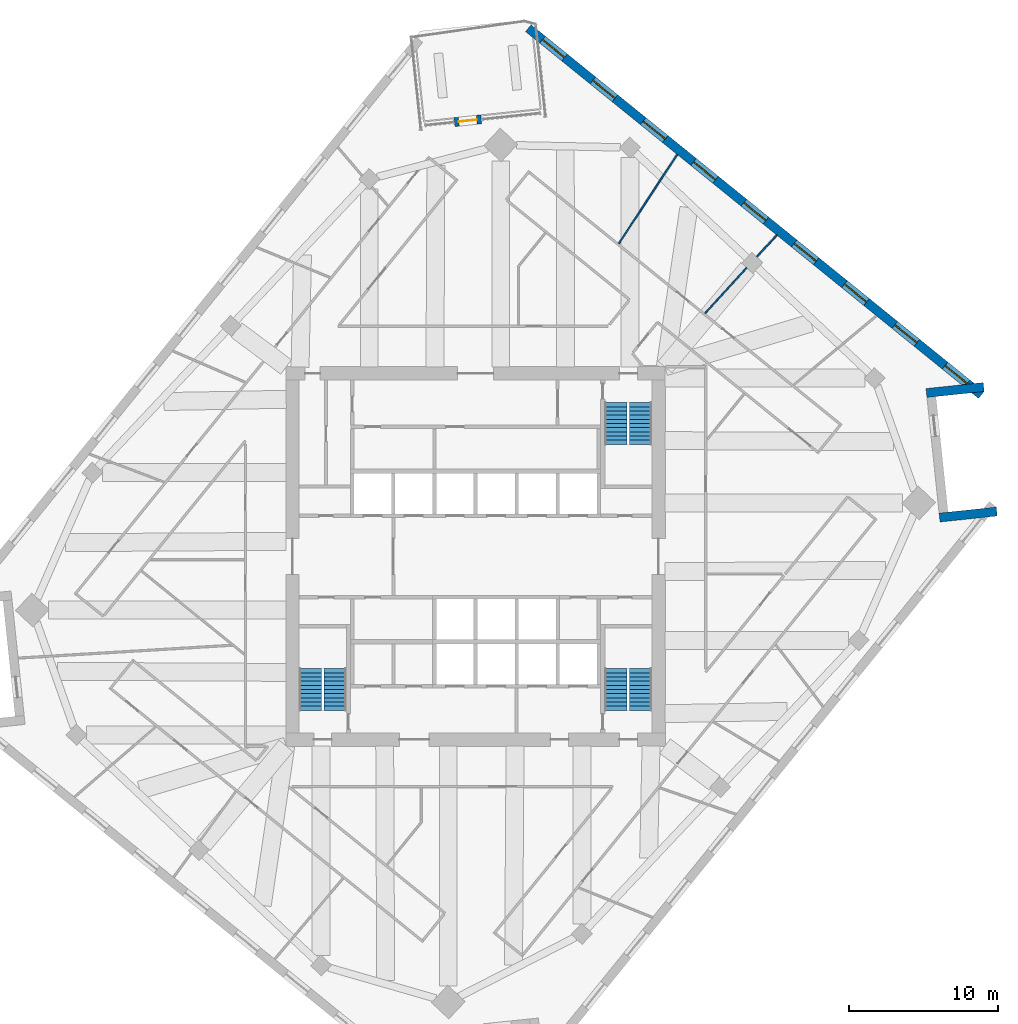
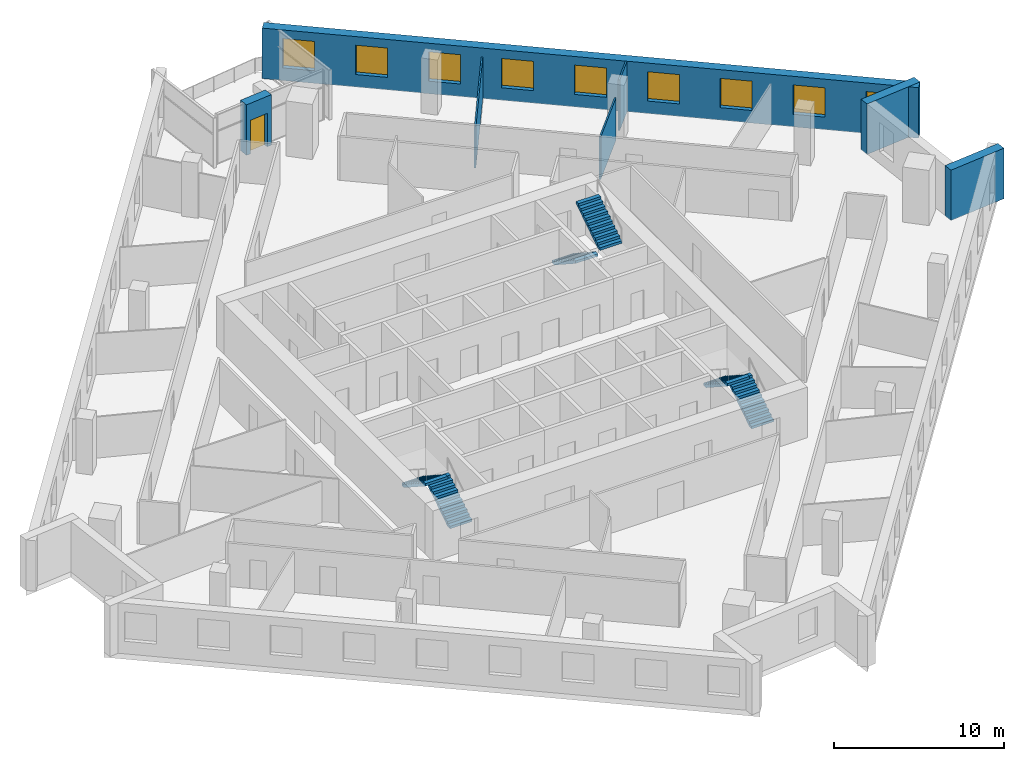
# One storey, part 12 of 14: 9 windows, 7 walls, 6 stair flights, 1 door, 10 openings, 3 elements without a shape of their own.
"""IFC4 building model written with IfcOpenShell, lengths in metres."""

from ifc_helpers import new_model, si_unit, direction, frame, frame_2d, origin, place, context, subcontext, project, spatial, polyline, rectangle, outline, extrude, material, layer, layer_set, type_object, element, fill, aggregate, save


model = new_model("IFC4")

# Units and contexts
model_context = context("Model", 3, precision=1e-05, world=origin(), true_north=direction((0.0, 1.0)))
body_context = subcontext(model_context, "Body", "Model", "MODEL_VIEW")
ifc_project = project(units=[si_unit("LENGTHUNIT", "METRE"), si_unit("AREAUNIT", "SQUARE_METRE"), si_unit("VOLUMEUNIT", "CUBIC_METRE"), si_unit("PLANEANGLEUNIT", "RADIAN"), si_unit("MASSUNIT", "GRAM", prefix="KILO")], contexts=[model_context])

# Site, building, storey
site_placement = place(None, origin())
site = spatial("IfcSite", under=ifc_project, at=site_placement, CompositionType="ELEMENT")
building_placement = place(site_placement, origin())
building = spatial("IfcBuilding", under=site, at=building_placement, Name="Dilmun Exchange Tower", CompositionType="ELEMENT")
storey_placement = place(building_placement, frame((0.0, 0.0, 233.300048828125)))
storey = spatial("IfcBuildingStorey", under=building, at=storey_placement, Name="L55", CompositionType="ELEMENT", Elevation=233.300048828125)

# Walls
ifc_material_1 = material(Name="Partition 100")
ifc_layer_1 = layer(ifc_material_1, 0.10009765625)
ifc_layer_set_1 = layer_set([ifc_layer_1], Name="Partition 100")
wall_type_1 = type_object("IfcWallType", Name="Partition 100", PredefinedType="PARTITIONING", material=ifc_layer_set_1)
wall_1_placement = place(storey_placement, frame((9.593994140625, 20.94921875, 0.0), z_axis=(0.0, 0.0, 1.0), x_axis=(0.548286159223, 0.836290791295, 0.0)))
element("IfcWall", 1, at=wall_1_placement, inside=storey, type_object=wall_type_1, Name="Partition", PredefinedType="PARTITIONING", context=body_context, shape_type="SweptSolid", body=[
    extrude(rectangle(XDim=7.115478515625, YDim=0.10009765625, at=frame_2d((3.5576171875, 0.0))), origin(), (0.0, 0.0, 1.0), 2.969970703125),
])
wall_2_placement = place(storey_placement, frame((15.36279296875, 16.275634765625, 0.0), z_axis=(0.0, 0.0, 1.0), x_axis=(0.675708525494, 0.737168900982, 0.0)))
element("IfcWall", 2, at=wall_2_placement, inside=storey, type_object=wall_type_1, Name="Partition", PredefinedType="PARTITIONING", context=body_context, shape_type="SweptSolid", body=[
    extrude(rectangle(XDim=4.119384765625, YDim=0.10009765625, at=frame_2d((2.0595703125, 0.0))), origin(), (0.0, 0.0, 1.0), 3.050048828125),
])
wall_3_placement = place(storey_placement, frame((18.822021484375, 20.049560546875, 0.0), z_axis=(0.0, 0.0, 1.0), x_axis=(0.675724628517, 0.737154140201, 0.0)))
element("IfcWall", 3, at=wall_3_placement, inside=storey, type_object=wall_type_1, Name="Partition", PredefinedType="PARTITIONING", context=body_context, shape_type="SweptSolid", body=[
    extrude(rectangle(XDim=1.975341796875, YDim=0.10009765625, at=frame_2d((0.98779296875, 0.0))), origin(), (0.0, 0.0, 1.0), 3.619873046875),
])
ifc_material_2 = material(Name="Precast concrete C50/60", Category="concrete")
ifc_layer_2 = layer(ifc_material_2, 0.60009765625)
ifc_layer_set_2 = layer_set([ifc_layer_2], Name="Precast concrete C50/60")
wall_type_2 = type_object("IfcWallType", Name="Precast stone-clad wall 600", PredefinedType="STANDARD", material=ifc_layer_set_2)
for number, where, z_axis, x_axis, name in (
    (4, (34.87841796875, 3.0087890625, 0.0), (0.0, 0.0, 1.0), (-0.994521092097, -0.104536105602, 0.0), "Facade wall L55-12"),
    (5, (30.17724609375, 10.93896484375, 0.0), (0.0, 0.0, 1.0), (0.994521092097, 0.104536105602, 0.0), "Facade wall L55-14"),
):
    element("IfcWall", number, at=place(storey_placement, frame(where, z_axis=z_axis, x_axis=x_axis)), inside=storey, type_object=wall_type_2, Name=name, PredefinedType="STANDARD", context=body_context, shape_type="SweptSolid", body=[
        extrude(rectangle(XDim=3.846435546875, YDim=0.60009765625, at=frame_2d((1.92333984375, 0.0))), origin(), (0.0, 0.0, 1.0), 3.619873046875),
    ])

# Wall, openings, windows
wall_4_placement = place(storey_placement, frame((33.84521484375, 10.8095703125, 0.0), z_axis=(0.0, 0.0, 1.0), x_axis=(-0.777145437972, 0.629321037499, 0.0)))
wall_4 = element("IfcWall", 6, at=wall_4_placement, inside=storey, type_object=wall_type_2, Name="Facade wall L55-15", PredefinedType="STANDARD", context=body_context, shape_type="SweptSolid", body=[
    extrude(rectangle(XDim=39.0, YDim=0.60009765625, at=frame_2d((19.5, 0.0))), origin(), (0.0, 0.0, 1.0), 3.619873046875),
])
opening_1_placement = place(wall_4_placement, frame((1.216796875, 0.0, 0.89990234375)))
opening_1 = element("IfcOpeningElement", 7, at=opening_1_placement, cuts=wall_4, Name="Opening W190-210", PredefinedType="OPENING", context=body_context, shape_type="SweptSolid", body=[
    extrude(rectangle(XDim=1.89990234375, YDim=2.10009765625, at=frame_2d((0.949951171875, 1.050048828125))), frame((0.0, 0.31005859375, 0.0), z_axis=(0.0, -1.0, 0.0), x_axis=(1.0, 0.0, 0.0)), (0.0, 0.0, 1.0), 0.6201171875),
])
opening_2_placement = place(wall_4_placement, frame((5.550048828125, 0.0, 0.89990234375)))
opening_2 = element("IfcOpeningElement", 8, at=opening_2_placement, cuts=wall_4, Name="Opening W190-210", PredefinedType="OPENING", context=body_context, shape_type="SweptSolid", body=[
    extrude(rectangle(XDim=1.89990234375, YDim=2.10009765625, at=frame_2d((0.949951171875, 1.050048828125))), frame((0.0, 0.31005859375, 0.0), z_axis=(0.0, -1.0, 0.0), x_axis=(1.0, 0.0, 0.0)), (0.0, 0.0, 1.0), 0.6201171875),
])
opening_3_placement = place(wall_4_placement, frame((9.88330078125, 0.0, 0.89990234375)))
opening_3 = element("IfcOpeningElement", 9, at=opening_3_placement, cuts=wall_4, Name="Opening W190-210", PredefinedType="OPENING", context=body_context, shape_type="SweptSolid", body=[
    extrude(rectangle(XDim=1.89990234375, YDim=2.10009765625, at=frame_2d((0.949951171875, 1.050048828125))), frame((0.0, 0.31005859375, 0.0), z_axis=(0.0, -1.0, 0.0), x_axis=(1.0, 0.0, 0.0)), (0.0, 0.0, 1.0), 0.6201171875),
])
opening_4_placement = place(wall_4_placement, frame((14.216796875, 0.0, 0.89990234375)))
opening_4 = element("IfcOpeningElement", 10, at=opening_4_placement, cuts=wall_4, Name="Opening W190-210", PredefinedType="OPENING", context=body_context, shape_type="SweptSolid", body=[
    extrude(rectangle(XDim=1.89990234375, YDim=2.10009765625, at=frame_2d((0.949951171875, 1.050048828125))), frame((0.0, 0.31005859375, 0.0), z_axis=(0.0, -1.0, 0.0), x_axis=(1.0, 0.0, 0.0)), (0.0, 0.0, 1.0), 0.6201171875),
])
opening_5_placement = place(wall_4_placement, frame((18.550048828125, 0.0, 0.89990234375)))
opening_5 = element("IfcOpeningElement", 11, at=opening_5_placement, cuts=wall_4, Name="Opening W190-210", PredefinedType="OPENING", context=body_context, shape_type="SweptSolid", body=[
    extrude(rectangle(XDim=1.89990234375, YDim=2.10009765625, at=frame_2d((0.949951171875, 1.050048828125))), frame((0.0, 0.31005859375, 0.0), z_axis=(0.0, -1.0, 0.0), x_axis=(1.0, 0.0, 0.0)), (0.0, 0.0, 1.0), 0.6201171875),
])
opening_6_placement = place(wall_4_placement, frame((22.88330078125, 0.0, 0.89990234375)))
opening_6 = element("IfcOpeningElement", 12, at=opening_6_placement, cuts=wall_4, Name="Opening W190-210", PredefinedType="OPENING", context=body_context, shape_type="SweptSolid", body=[
    extrude(rectangle(XDim=1.89990234375, YDim=2.10009765625, at=frame_2d((0.949951171875, 1.050048828125))), frame((0.0, 0.31005859375, 0.0), z_axis=(0.0, -1.0, 0.0), x_axis=(1.0, 0.0, 0.0)), (0.0, 0.0, 1.0), 0.6201171875),
])
opening_7_placement = place(wall_4_placement, frame((27.216796875, 0.0, 0.89990234375)))
opening_7 = element("IfcOpeningElement", 13, at=opening_7_placement, cuts=wall_4, Name="Opening W190-210", PredefinedType="OPENING", context=body_context, shape_type="SweptSolid", body=[
    extrude(rectangle(XDim=1.89990234375, YDim=2.10009765625, at=frame_2d((0.949951171875, 1.050048828125))), frame((0.0, 0.31005859375, 0.0), z_axis=(0.0, -1.0, 0.0), x_axis=(1.0, 0.0, 0.0)), (0.0, 0.0, 1.0), 0.6201171875),
])
opening_8_placement = place(wall_4_placement, frame((31.550048828125, 0.0, 0.89990234375)))
opening_8 = element("IfcOpeningElement", 14, at=opening_8_placement, cuts=wall_4, Name="Opening W190-210", PredefinedType="OPENING", context=body_context, shape_type="SweptSolid", body=[
    extrude(rectangle(XDim=1.89990234375, YDim=2.10009765625, at=frame_2d((0.949951171875, 1.050048828125))), frame((0.0, 0.31005859375, 0.0), z_axis=(0.0, -1.0, 0.0), x_axis=(1.0, 0.0, 0.0)), (0.0, 0.0, 1.0), 0.6201171875),
])
opening_9_placement = place(wall_4_placement, frame((35.88330078125, 0.0, 0.89990234375)))
opening_9 = element("IfcOpeningElement", 15, at=opening_9_placement, cuts=wall_4, Name="Opening W190-210", PredefinedType="OPENING", context=body_context, shape_type="SweptSolid", body=[
    extrude(rectangle(XDim=1.89990234375, YDim=2.10009765625, at=frame_2d((0.949951171875, 1.050048828125))), frame((0.0, 0.31005859375, 0.0), z_axis=(0.0, -1.0, 0.0), x_axis=(1.0, 0.0, 0.0)), (0.0, 0.0, 1.0), 0.6201171875),
])
ifc_material_3 = material(Name="Clear low-emissivity glass in aluminium frame", Category="aluminium")
window_type = type_object("IfcWindowType", Name="Punched window 1900 x 2100", PartitioningType="DOUBLE_PANEL_VERTICAL", PredefinedType="WINDOW", material=ifc_material_3)
window_1_placement = place(opening_1_placement, origin())
window_1 = element("IfcWindow", 16, at=window_1_placement, inside=storey, type_object=window_type, Name="Window 16.1", OverallHeight=2.10009765625, OverallWidth=1.89990234375, PartitioningType="SINGLE_PANEL", PredefinedType="WINDOW", context=body_context, shape_type="SweptSolid", body=[
    extrude(rectangle(XDim=1.89990234375, YDim=2.10009765625, at=frame_2d((0.949951171875, 1.050048828125))), frame((0.0, 0.030029296875, 0.0), z_axis=(0.0, -1.0, 0.0), x_axis=(1.0, 0.0, 0.0)), (0.0, 0.0, 1.0), 0.06005859375),
])
fill(opening_1, window_1)
window_2_placement = place(opening_2_placement, origin())
window_2 = element("IfcWindow", 17, at=window_2_placement, inside=storey, type_object=window_type, Name="Window 16.2", OverallHeight=2.10009765625, OverallWidth=1.89990234375, PartitioningType="SINGLE_PANEL", PredefinedType="WINDOW", context=body_context, shape_type="SweptSolid", body=[
    extrude(rectangle(XDim=1.89990234375, YDim=2.10009765625, at=frame_2d((0.949951171875, 1.050048828125))), frame((0.0, 0.030029296875, 0.0), z_axis=(0.0, -1.0, 0.0), x_axis=(1.0, 0.0, 0.0)), (0.0, 0.0, 1.0), 0.06005859375),
])
fill(opening_2, window_2)
window_3_placement = place(opening_3_placement, origin())
window_3 = element("IfcWindow", 18, at=window_3_placement, inside=storey, type_object=window_type, Name="Window 16.3", OverallHeight=2.10009765625, OverallWidth=1.89990234375, PartitioningType="SINGLE_PANEL", PredefinedType="WINDOW", context=body_context, shape_type="SweptSolid", body=[
    extrude(rectangle(XDim=1.89990234375, YDim=2.10009765625, at=frame_2d((0.949951171875, 1.050048828125))), frame((0.0, 0.030029296875, 0.0), z_axis=(0.0, -1.0, 0.0), x_axis=(1.0, 0.0, 0.0)), (0.0, 0.0, 1.0), 0.06005859375),
])
fill(opening_3, window_3)
window_4_placement = place(opening_4_placement, origin())
window_4 = element("IfcWindow", 19, at=window_4_placement, inside=storey, type_object=window_type, Name="Window 16.4", OverallHeight=2.10009765625, OverallWidth=1.89990234375, PartitioningType="SINGLE_PANEL", PredefinedType="WINDOW", context=body_context, shape_type="SweptSolid", body=[
    extrude(rectangle(XDim=1.89990234375, YDim=2.10009765625, at=frame_2d((0.949951171875, 1.050048828125))), frame((0.0, 0.030029296875, 0.0), z_axis=(0.0, -1.0, 0.0), x_axis=(1.0, 0.0, 0.0)), (0.0, 0.0, 1.0), 0.06005859375),
])
fill(opening_4, window_4)
window_5_placement = place(opening_5_placement, origin())
window_5 = element("IfcWindow", 20, at=window_5_placement, inside=storey, type_object=window_type, Name="Window 16.5", OverallHeight=2.10009765625, OverallWidth=1.89990234375, PartitioningType="SINGLE_PANEL", PredefinedType="WINDOW", context=body_context, shape_type="SweptSolid", body=[
    extrude(rectangle(XDim=1.89990234375, YDim=2.10009765625, at=frame_2d((0.949951171875, 1.050048828125))), frame((0.0, 0.030029296875, 0.0), z_axis=(0.0, -1.0, 0.0), x_axis=(1.0, 0.0, 0.0)), (0.0, 0.0, 1.0), 0.06005859375),
])
fill(opening_5, window_5)
window_6_placement = place(opening_6_placement, origin())
window_6 = element("IfcWindow", 21, at=window_6_placement, inside=storey, type_object=window_type, Name="Window 16.6", OverallHeight=2.10009765625, OverallWidth=1.89990234375, PartitioningType="SINGLE_PANEL", PredefinedType="WINDOW", context=body_context, shape_type="SweptSolid", body=[
    extrude(rectangle(XDim=1.89990234375, YDim=2.10009765625, at=frame_2d((0.949951171875, 1.050048828125))), frame((0.0, 0.030029296875, 0.0), z_axis=(0.0, -1.0, 0.0), x_axis=(1.0, 0.0, 0.0)), (0.0, 0.0, 1.0), 0.06005859375),
])
fill(opening_6, window_6)
window_7_placement = place(opening_7_placement, origin())
window_7 = element("IfcWindow", 22, at=window_7_placement, inside=storey, type_object=window_type, Name="Window 16.7", OverallHeight=2.10009765625, OverallWidth=1.89990234375, PartitioningType="SINGLE_PANEL", PredefinedType="WINDOW", context=body_context, shape_type="SweptSolid", body=[
    extrude(rectangle(XDim=1.89990234375, YDim=2.10009765625, at=frame_2d((0.949951171875, 1.050048828125))), frame((0.0, 0.030029296875, 0.0), z_axis=(0.0, -1.0, 0.0), x_axis=(1.0, 0.0, 0.0)), (0.0, 0.0, 1.0), 0.06005859375),
])
fill(opening_7, window_7)
window_8_placement = place(opening_8_placement, origin())
window_8 = element("IfcWindow", 23, at=window_8_placement, inside=storey, type_object=window_type, Name="Window 16.8", OverallHeight=2.10009765625, OverallWidth=1.89990234375, PartitioningType="SINGLE_PANEL", PredefinedType="WINDOW", context=body_context, shape_type="SweptSolid", body=[
    extrude(rectangle(XDim=1.89990234375, YDim=2.10009765625, at=frame_2d((0.949951171875, 1.050048828125))), frame((0.0, 0.030029296875, 0.0), z_axis=(0.0, -1.0, 0.0), x_axis=(1.0, 0.0, 0.0)), (0.0, 0.0, 1.0), 0.06005859375),
])
fill(opening_8, window_8)
window_9_placement = place(opening_9_placement, origin())
window_9 = element("IfcWindow", 24, at=window_9_placement, inside=storey, type_object=window_type, Name="Window 16.9", OverallHeight=2.10009765625, OverallWidth=1.89990234375, PartitioningType="SINGLE_PANEL", PredefinedType="WINDOW", context=body_context, shape_type="SweptSolid", body=[
    extrude(rectangle(XDim=1.89990234375, YDim=2.10009765625, at=frame_2d((0.949951171875, 1.050048828125))), frame((0.0, 0.030029296875, 0.0), z_axis=(0.0, -1.0, 0.0), x_axis=(1.0, 0.0, 0.0)), (0.0, 0.0, 1.0), 0.06005859375),
])
fill(opening_9, window_9)

# Wall, opening, door
wall_5_placement = place(storey_placement, frame((0.379638671875, 29.25537109375, 0.0), z_axis=(0.0, 0.0, 1.0), x_axis=(-0.994516595821, -0.104578872801, 0.0)))
wall_5 = element("IfcWall", 25, at=wall_5_placement, inside=storey, type_object=wall_type_2, Name="Facade wall L55-01-D", PredefinedType="STANDARD", context=body_context, shape_type="SweptSolid", body=[
    extrude(rectangle(XDim=1.7998046875, YDim=0.60009765625, at=frame_2d((0.89990234375, 0.0))), origin(), (0.0, 0.0, 1.0), 3.619873046875),
])
opening_10_placement = place(wall_5_placement, frame((0.300048828125, 0.0, 0.0)))
opening_10 = element("IfcOpeningElement", 26, at=opening_10_placement, cuts=wall_5, Name="Opening GD-1", PredefinedType="OPENING", context=body_context, shape_type="SweptSolid", body=[
    extrude(rectangle(XDim=1.199951171875, YDim=2.39990234375, at=frame_2d((0.60009765625, 1.199951171875))), frame((0.0, 0.31005859375, 0.0), z_axis=(0.0, -1.0, 0.0), x_axis=(1.0, 0.0, 0.0)), (0.0, 0.0, 1.0), 0.6201171875),
])
door_type = type_object("IfcDoorType", Name="Glazed garden door 1200 x 2400", OperationType="SINGLE_SWING_LEFT", PredefinedType="DOOR", material=ifc_material_3)
door_placement = place(opening_10_placement, origin())
door = element("IfcDoor", 27, at=door_placement, inside=storey, type_object=door_type, Name="Garden terrace door", OperationType="SINGLE_SWING_LEFT", OverallHeight=2.39990234375, OverallWidth=1.199951171875, PredefinedType="DOOR", context=body_context, shape_type="SweptSolid", body=[
    extrude(rectangle(XDim=1.199951171875, YDim=2.39990234375, at=frame_2d((0.60009765625, 1.199951171875))), frame((0.0, 0.02490234375, 0.0), z_axis=(0.0, -1.0, 0.0), x_axis=(1.0, 0.0, 0.0)), (0.0, 0.0, 1.0), 0.050048828125),
])
fill(opening_10, door)

# Stair, stair flights
ifc_material_4 = material(Name="Concrete C40/50", Category="concrete")
stair_type = type_object("IfcStairType", Name="Exit stair 1500 half-turn", PredefinedType="HALF_TURN_STAIR", material=ifc_material_4)
stair_1_placement = place(storey_placement, origin())
stair_1 = element("IfcStair", 28, at=stair_1_placement, inside=storey, type_object=stair_type, Name="L55 Protected exit stair ST1", PredefinedType="HALF_TURN_STAIR")
stair_flight_type = type_object("IfcStairFlightType", Name="Exit stair flight 1500", PredefinedType="STRAIGHT", material=ifc_material_4)
stair_flight_1_placement = place(storey_placement, frame((9.39990234375, 10.300048828125, 0.0), z_axis=(0.0, 0.0, 1.0), x_axis=(0.0, -1.0, 0.0)))
stair_flight_1 = element("IfcStairFlight", 29, at=stair_flight_1_placement, type_object=stair_flight_type, Name="ST1 flight 1", NumberOfRisers=11, NumberOfTreads=10, PredefinedType="STRAIGHT", RiserHeight=0.181818182, TreadLength=0.28, context=body_context, shape_type="SweptSolid", body=[
    extrude(outline(polyline([(0.0, 0.0), (0.0, 0.181884765625), (0.280029296875, 0.181884765625), (0.280029296875, 0.363525390625), (0.56005859375, 0.363525390625), (0.56005859375, 0.54541015625), (0.840087890625, 0.54541015625), (0.840087890625, 0.727294921875), (1.1201171875, 0.727294921875), (1.1201171875, 0.9091796875), (1.39990234375, 0.9091796875), (1.39990234375, 1.0908203125), (1.679931640625, 1.0908203125), (1.679931640625, 1.272705078125), (1.9599609375, 1.272705078125), (1.9599609375, 1.45458984375), (2.239990234375, 1.45458984375), (2.239990234375, 1.636474609375), (2.52001953125, 1.636474609375), (2.52001953125, 1.818115234375), (2.800048828125, 1.818115234375), (2.800048828125, 2.0), (2.800048828125, 1.639404296875), (0.275146484375, 0.0), (0.0, 0.0)])), frame((0.0, 0.75, 0.0), z_axis=(0.0, -1.0, 0.0), x_axis=(1.0, 0.0, 0.0)), (0.0, 0.0, 1.0), 1.5),
])
stair_flight_2_placement = place(storey_placement, frame((11.050048828125, 7.5, 2.0), z_axis=(0.0, 0.0, 1.0), x_axis=(0.0, 1.0, 0.0)))
stair_flight_2 = element("IfcStairFlight", 30, at=stair_flight_2_placement, type_object=stair_flight_type, Name="ST1 flight 2", NumberOfRisers=11, NumberOfTreads=10, PredefinedType="STRAIGHT", RiserHeight=0.181818182, TreadLength=0.28, context=body_context, shape_type="SweptSolid", body=[
    extrude(outline(polyline([(0.0, 0.0), (0.0, 0.181884765625), (0.280029296875, 0.181884765625), (0.280029296875, 0.363525390625), (0.56005859375, 0.363525390625), (0.56005859375, 0.54541015625), (0.840087890625, 0.54541015625), (0.840087890625, 0.727294921875), (1.1201171875, 0.727294921875), (1.1201171875, 0.9091796875), (1.39990234375, 0.9091796875), (1.39990234375, 1.0908203125), (1.679931640625, 1.0908203125), (1.679931640625, 1.272705078125), (1.9599609375, 1.272705078125), (1.9599609375, 1.45458984375), (2.239990234375, 1.45458984375), (2.239990234375, 1.636474609375), (2.52001953125, 1.636474609375), (2.52001953125, 1.818115234375), (2.800048828125, 1.818115234375), (2.800048828125, 2.0), (2.800048828125, 1.639404296875), (0.275146484375, 0.0), (0.0, 0.0)])), frame((0.0, 0.75, 0.0), z_axis=(0.0, -1.0, 0.0), x_axis=(1.0, 0.0, 0.0)), (0.0, 0.0, 1.0), 1.5),
])
aggregate(stair_1, [stair_flight_1, stair_flight_2])

stair_2_placement = place(storey_placement, origin())
stair_2 = element("IfcStair", 31, at=stair_2_placement, inside=storey, type_object=stair_type, Name="L55 Protected exit stair ST2", PredefinedType="HALF_TURN_STAIR")
stair_flight_3_placement = place(storey_placement, frame((-9.39990234375, -10.300048828125, 0.0), z_axis=(0.0, 0.0, 1.0), x_axis=(0.0, 1.0, 0.0)))
stair_flight_3 = element("IfcStairFlight", 32, at=stair_flight_3_placement, type_object=stair_flight_type, Name="ST2 flight 1", NumberOfRisers=11, NumberOfTreads=10, PredefinedType="STRAIGHT", RiserHeight=0.181818182, TreadLength=0.28, context=body_context, shape_type="SweptSolid", body=[
    extrude(outline(polyline([(0.0, 0.0), (0.0, 0.181884765625), (0.280029296875, 0.181884765625), (0.280029296875, 0.363525390625), (0.56005859375, 0.363525390625), (0.56005859375, 0.54541015625), (0.840087890625, 0.54541015625), (0.840087890625, 0.727294921875), (1.1201171875, 0.727294921875), (1.1201171875, 0.9091796875), (1.39990234375, 0.9091796875), (1.39990234375, 1.0908203125), (1.679931640625, 1.0908203125), (1.679931640625, 1.272705078125), (1.9599609375, 1.272705078125), (1.9599609375, 1.45458984375), (2.239990234375, 1.45458984375), (2.239990234375, 1.636474609375), (2.52001953125, 1.636474609375), (2.52001953125, 1.818115234375), (2.800048828125, 1.818115234375), (2.800048828125, 2.0), (2.800048828125, 1.639404296875), (0.275146484375, 0.0), (0.0, 0.0)])), frame((0.0, 0.75, 0.0), z_axis=(0.0, -1.0, 0.0), x_axis=(1.0, 0.0, 0.0)), (0.0, 0.0, 1.0), 1.5),
])
stair_flight_4_placement = place(storey_placement, frame((-11.050048828125, -7.5, 2.0), z_axis=(0.0, 0.0, 1.0), x_axis=(0.0, -1.0, 0.0)))
stair_flight_4 = element("IfcStairFlight", 33, at=stair_flight_4_placement, type_object=stair_flight_type, Name="ST2 flight 2", NumberOfRisers=11, NumberOfTreads=10, PredefinedType="STRAIGHT", RiserHeight=0.181818182, TreadLength=0.28, context=body_context, shape_type="SweptSolid", body=[
    extrude(outline(polyline([(0.0, 0.0), (0.0, 0.181884765625), (0.280029296875, 0.181884765625), (0.280029296875, 0.363525390625), (0.56005859375, 0.363525390625), (0.56005859375, 0.54541015625), (0.840087890625, 0.54541015625), (0.840087890625, 0.727294921875), (1.1201171875, 0.727294921875), (1.1201171875, 0.9091796875), (1.39990234375, 0.9091796875), (1.39990234375, 1.0908203125), (1.679931640625, 1.0908203125), (1.679931640625, 1.272705078125), (1.9599609375, 1.272705078125), (1.9599609375, 1.45458984375), (2.239990234375, 1.45458984375), (2.239990234375, 1.636474609375), (2.52001953125, 1.636474609375), (2.52001953125, 1.818115234375), (2.800048828125, 1.818115234375), (2.800048828125, 2.0), (2.800048828125, 1.639404296875), (0.275146484375, 0.0), (0.0, 0.0)])), frame((0.0, 0.75, 0.0), z_axis=(0.0, -1.0, 0.0), x_axis=(1.0, 0.0, 0.0)), (0.0, 0.0, 1.0), 1.5),
])
aggregate(stair_2, [stair_flight_3, stair_flight_4])

stair_3_placement = place(storey_placement, origin())
stair_3 = element("IfcStair", 34, at=stair_3_placement, inside=storey, type_object=stair_type, Name="L55 Protected exit stair ST3", PredefinedType="HALF_TURN_STAIR")
stair_flight_5_placement = place(storey_placement, frame((11.050048828125, -10.300048828125, 0.0), z_axis=(0.0, 0.0, 1.0), x_axis=(0.0, 1.0, 0.0)))
stair_flight_5 = element("IfcStairFlight", 35, at=stair_flight_5_placement, type_object=stair_flight_type, Name="ST3 flight 1", NumberOfRisers=11, NumberOfTreads=10, PredefinedType="STRAIGHT", RiserHeight=0.181818182, TreadLength=0.28, context=body_context, shape_type="SweptSolid", body=[
    extrude(outline(polyline([(0.0, 0.0), (0.0, 0.181884765625), (0.280029296875, 0.181884765625), (0.280029296875, 0.363525390625), (0.56005859375, 0.363525390625), (0.56005859375, 0.54541015625), (0.840087890625, 0.54541015625), (0.840087890625, 0.727294921875), (1.1201171875, 0.727294921875), (1.1201171875, 0.9091796875), (1.39990234375, 0.9091796875), (1.39990234375, 1.0908203125), (1.679931640625, 1.0908203125), (1.679931640625, 1.272705078125), (1.9599609375, 1.272705078125), (1.9599609375, 1.45458984375), (2.239990234375, 1.45458984375), (2.239990234375, 1.636474609375), (2.52001953125, 1.636474609375), (2.52001953125, 1.818115234375), (2.800048828125, 1.818115234375), (2.800048828125, 2.0), (2.800048828125, 1.639404296875), (0.275146484375, 0.0), (0.0, 0.0)])), frame((0.0, 0.75, 0.0), z_axis=(0.0, -1.0, 0.0), x_axis=(1.0, 0.0, 0.0)), (0.0, 0.0, 1.0), 1.5),
])
stair_flight_6_placement = place(storey_placement, frame((9.39990234375, -7.5, 2.0), z_axis=(0.0, 0.0, 1.0), x_axis=(0.0, -1.0, 0.0)))
stair_flight_6 = element("IfcStairFlight", 36, at=stair_flight_6_placement, type_object=stair_flight_type, Name="ST3 flight 2", NumberOfRisers=11, NumberOfTreads=10, PredefinedType="STRAIGHT", RiserHeight=0.181818182, TreadLength=0.28, context=body_context, shape_type="SweptSolid", body=[
    extrude(outline(polyline([(0.0, 0.0), (0.0, 0.181884765625), (0.280029296875, 0.181884765625), (0.280029296875, 0.363525390625), (0.56005859375, 0.363525390625), (0.56005859375, 0.54541015625), (0.840087890625, 0.54541015625), (0.840087890625, 0.727294921875), (1.1201171875, 0.727294921875), (1.1201171875, 0.9091796875), (1.39990234375, 0.9091796875), (1.39990234375, 1.0908203125), (1.679931640625, 1.0908203125), (1.679931640625, 1.272705078125), (1.9599609375, 1.272705078125), (1.9599609375, 1.45458984375), (2.239990234375, 1.45458984375), (2.239990234375, 1.636474609375), (2.52001953125, 1.636474609375), (2.52001953125, 1.818115234375), (2.800048828125, 1.818115234375), (2.800048828125, 2.0), (2.800048828125, 1.639404296875), (0.275146484375, 0.0), (0.0, 0.0)])), frame((0.0, 0.75, 0.0), z_axis=(0.0, -1.0, 0.0), x_axis=(1.0, 0.0, 0.0)), (0.0, 0.0, 1.0), 1.5),
])
aggregate(stair_3, [stair_flight_5, stair_flight_6])

save(model, "model.ifc")
